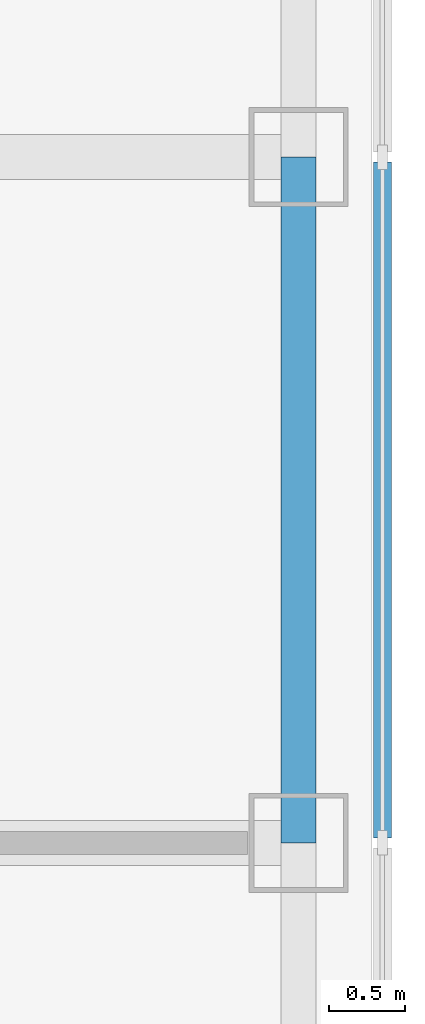
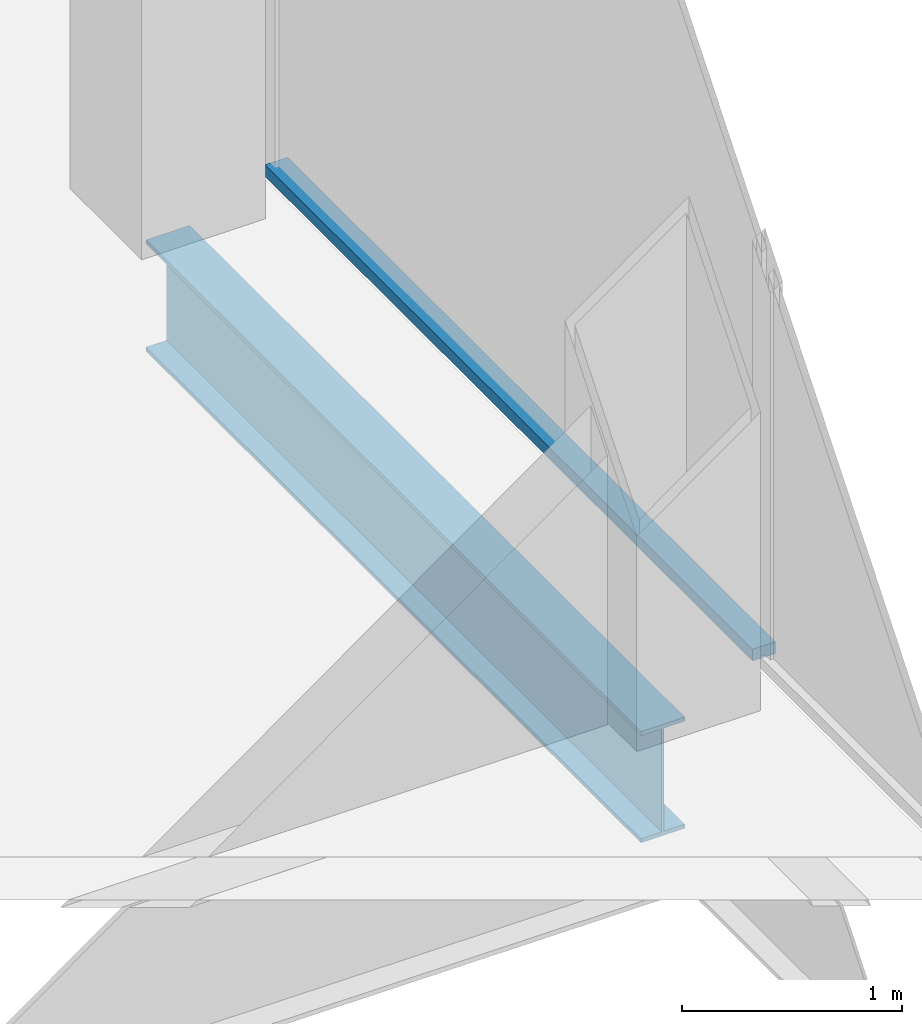
# One storey, part 5 of 13: 1 beam, 1 member, 1 element without a shape of its own.
"""IFC4 building model written with IfcOpenShell, lengths in metres."""

from ifc_helpers import new_model, si_unit, direction, frame, origin, origin_2d, place, context, subcontext, project, spatial, rectangle, i_section, extrude, material, material_profile, profile_set, type_object, element, aggregate, save


model = new_model("IFC4")

# Units and contexts
model_context = context("Model", 3, precision=1e-05, world=origin(), true_north=direction((0.0, 1.0)))
body_context = subcontext(model_context, "Body", "Model", "MODEL_VIEW")
ifc_project = project(units=[si_unit("LENGTHUNIT", "METRE"), si_unit("AREAUNIT", "SQUARE_METRE"), si_unit("VOLUMEUNIT", "CUBIC_METRE"), si_unit("PLANEANGLEUNIT", "RADIAN"), si_unit("MASSUNIT", "GRAM", prefix="KILO")], contexts=[model_context])

# Site, building, storey
site_placement = place(None, origin())
site = spatial("IfcSite", under=ifc_project, at=site_placement, CompositionType="ELEMENT")
building_placement = place(site_placement, origin())
building = spatial("IfcBuilding", under=site, at=building_placement, Name="Corais Broadcast Tower", CompositionType="ELEMENT")
storey_placement = place(building_placement, frame((0.0, 0.0, 238.60009765625)))
storey = spatial("IfcBuildingStorey", under=building, at=storey_placement, Name="L55", CompositionType="ELEMENT", Elevation=238.60009765625)

# Beam
ifc_material_1 = material(Name="Steel ASTM A572 Grade 50", Category="steel")
ifc_material_profile_1 = material_profile(ifc_material_1, i_section(OverallWidth=0.22998046875, OverallDepth=0.616943359375, WebThickness=0.01318359375, FlangeThickness=0.022216796875, at=origin_2d()), Name="W610x140")
ifc_profile_set_1 = profile_set([ifc_material_profile_1], Name="Steel ASTM A572 Grade 50")
beam_type = type_object("IfcBeamType", Name="Spandrel W610x140", PredefinedType="BEAM", material=ifc_profile_set_1)
beam_placement = place(storey_placement, frame((54.0, 27.0, -0.468505859375), z_axis=(0.0, 1.0, 0.0), x_axis=(-1.0, 0.0, 0.0)))
element("IfcBeam", 1, at=beam_placement, inside=storey, type_object=beam_type, Name="SB3 G/15 to H/15", PredefinedType="BEAM", context=body_context, shape_type="SweptSolid", body=[
    extrude(i_section(OverallWidth=0.22998046875, OverallDepth=0.616943359375, WebThickness=0.01318359375, FlangeThickness=0.022216796875, at=origin_2d()), origin(), (0.0, 0.0, 1.0), 4.5),
])

# Curtain wall, member
ifc_material_2 = material(Name="Aluminium and glass", Category="aluminium")
curtain_wall_type = type_object("IfcCurtainWallType", Name="Unitised fritted curtain wall CW3", PredefinedType="NOTDEFINED", material=ifc_material_2)
curtain_wall_placement = place(storey_placement, origin())
curtain_wall = element("IfcCurtainWall", 2, at=curtain_wall_placement, inside=storey, type_object=curtain_wall_type, Name="CW3 curtain wall L55 6", PredefinedType="NOTDEFINED")
ifc_material_3 = material(Name="Aluminium 6063-T6", Category="aluminium")
ifc_material_profile_2 = material_profile(ifc_material_3, rectangle(XDim=0.1201171875, YDim=0.06494140625, at=origin_2d()), Name="Transom CW3 65x120")
ifc_profile_set_2 = profile_set([ifc_material_profile_2], Name="Aluminium 6063-T6")
member_type = type_object("IfcMemberType", Name="Transom CW3 65x120", PredefinedType="USERDEFINED", material=ifc_profile_set_2)
member_placement = place(storey_placement, frame((54.550048828125, 31.467529296875, 0.032470703125), z_axis=(0.0, -1.0, 0.0), x_axis=(1.0, 0.0, 0.0)))
member = element("IfcMember", 3, at=member_placement, type_object=member_type, Name="CW3 transom 3.1", ObjectType="TRANSOM", PredefinedType="USERDEFINED", context=body_context, shape_type="SweptSolid", body=[
    extrude(rectangle(XDim=0.1201171875, YDim=0.06494140625, at=origin_2d()), origin(), (0.0, 0.0, 1.0), 4.43505859375),
])
aggregate(curtain_wall, [member])

save(model, "model.ifc")
